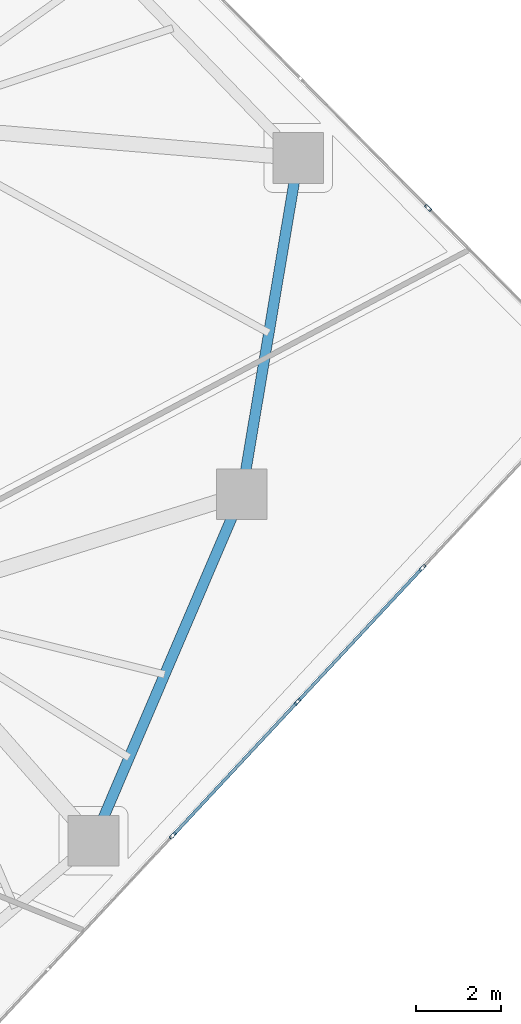
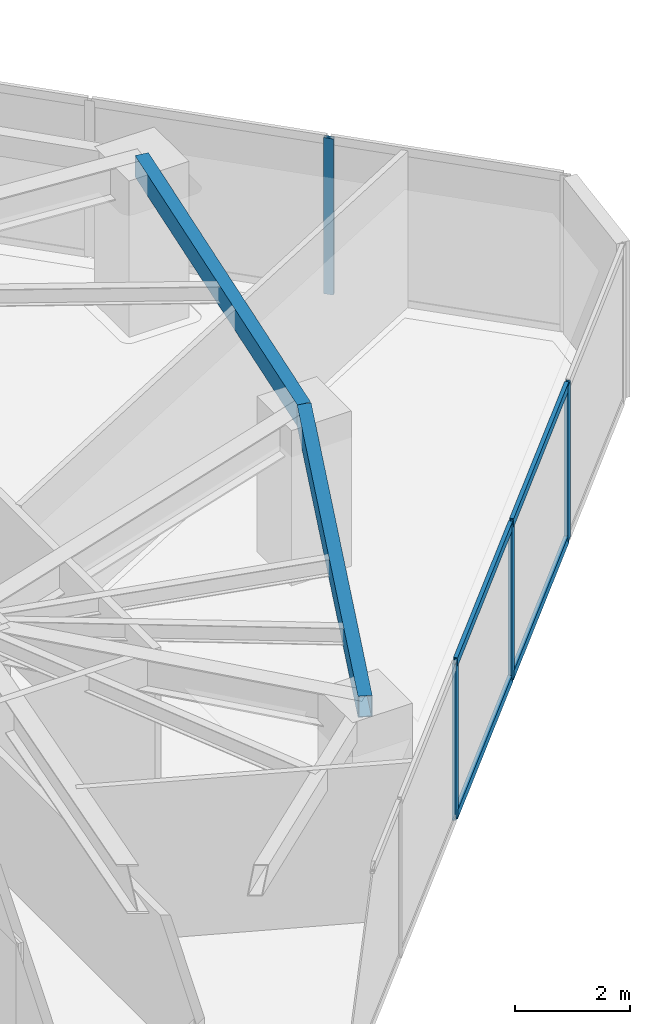
# One storey, part 13 of 23: 8 members, 2 beams, 2 elements without a shape of their own.
"""IFC4 building model written with IfcOpenShell, lengths in metres."""

from ifc_helpers import new_model, si_unit, direction, frame, origin, origin_2d, place, context, subcontext, project, spatial, hollow_rectangle, extrude, source, transform, mapped, material, layer, layer_set, material_profile, profile_set, type_object, type_shapes, element, aggregate, save


model = new_model("IFC4")

# Units and contexts
model_context = context("Model", 3, precision=1e-05, world=origin(), true_north=direction((0.0, 1.0)))
body_context = subcontext(model_context, "Body", "Model", "MODEL_VIEW")
ifc_project = project(units=[si_unit("LENGTHUNIT", "METRE"), si_unit("AREAUNIT", "SQUARE_METRE"), si_unit("VOLUMEUNIT", "CUBIC_METRE"), si_unit("PLANEANGLEUNIT", "RADIAN"), si_unit("MASSUNIT", "GRAM", prefix="KILO")], contexts=[model_context])

# Site, building, storey
site_placement = place(None, origin())
site = spatial("IfcSite", under=ifc_project, at=site_placement, CompositionType="ELEMENT")
building_placement = place(site_placement, origin())
building = spatial("IfcBuilding", under=site, at=building_placement, Name="Talar Marvaseh", CompositionType="ELEMENT")
storey_placement = place(building_placement, frame((0.0, 0.0, 100.199951171875)))
storey = spatial("IfcBuildingStorey", under=building, at=storey_placement, Name="L25", CompositionType="ELEMENT", Elevation=100.199951171875)

# Beams
ifc_material_1 = material(Name="Steel S355", Category="steel")
ifc_material_profile_1 = material_profile(ifc_material_1, hollow_rectangle(XDim=0.25, YDim=0.449951171875, WallThickness=0.01611328125, at=origin_2d()), Name="RHS450x250x16")
ifc_profile_set_1 = profile_set([ifc_material_profile_1], Name="Steel S355")
beam_type = type_object("IfcBeamType", Name="Zone 2 Perimeter Spandrel Beam RHS450x250x16", PredefinedType="SPANDREL", material=ifc_profile_set_1)
beam_1_placement = place(storey_placement, frame((43.0439453125, 36.075927734375, 3.0849609375), z_axis=(-0.165641685249, -0.986186002795, 0.0), x_axis=(0.986186002795, -0.165641685249, 0.0)))
element("IfcBeam", 1, at=beam_1_placement, inside=storey, type_object=beam_type, Name="L25 Zone 2 Perimeter Spandrel Beam RHS450x250x16", PredefinedType="SPANDREL", context=body_context, shape_type="SweptSolid", body=[
    extrude(hollow_rectangle(XDim=0.25, YDim=0.449951171875, WallThickness=0.01611328125, at=origin_2d()), origin(), (0.0, 0.0, 1.0), 8.059326171875),
])
beam_2_placement = place(storey_placement, frame((41.708984375, 28.1279296875, 3.0849609375), z_axis=(-0.393369955619, -0.919380268451, 0.0), x_axis=(0.919380268451, -0.393369955619, 0.0)))
element("IfcBeam", 2, at=beam_2_placement, inside=storey, type_object=beam_type, Name="L25 Zone 2 Perimeter Spandrel Beam RHS450x250x16", PredefinedType="SPANDREL", context=body_context, shape_type="SweptSolid", body=[
    extrude(hollow_rectangle(XDim=0.25, YDim=0.449951171875, WallThickness=0.01611328125, at=origin_2d()), origin(), (0.0, 0.0, 1.0), 8.905029296875),
])

# Curtain wall, member
ifc_material_2 = material(Name="Architectural Aluminium", Category="aluminium")
ifc_layer = layer(ifc_material_2, 0.199951171875)
ifc_layer_set = layer_set([ifc_layer], Name="Architectural Aluminium")
curtain_wall_type = type_object("IfcCurtainWallType", Name="Unitised Acoustic Library Curtain Wall Z2", PredefinedType="NOTDEFINED", material=ifc_layer_set)
curtain_wall_1_placement = place(storey_placement, origin())
curtain_wall_1 = element("IfcCurtainWall", 3, at=curtain_wall_1_placement, inside=storey, type_object=curtain_wall_type, Name="L25 Unitised Acoustic Library Curtain Wall Z2", PredefinedType="NOTDEFINED")
ifc_material_profile_2 = material_profile(ifc_material_2, hollow_rectangle(XDim=0.074951171875, YDim=0.179931640625, WallThickness=0.0048828125, at=origin_2d()), Name="RHS180x75x5")
ifc_profile_set_2 = profile_set([ifc_material_profile_2], Name="Architectural Aluminium")
member_type_1 = type_object("IfcMemberType", Name="Unitised Curtain Wall Standard Mullion RHS180x75x5", PredefinedType="MULLION", material=ifc_profile_set_2)
shared_shape_1 = source(origin(), body_context, "Body", "SweptSolid", [
    extrude(hollow_rectangle(XDim=0.074951171875, YDim=0.179931640625, WallThickness=0.0048828125, at=origin_2d()), origin(), (0.0, 0.0, 1.0), 3.31005859375),
])
type_shapes(member_type_1, [shared_shape_1])
member_1_placement = place(storey_placement, frame((46.1142578125, 34.897216796875, 0.0), z_axis=(0.0, 0.0, 1.0), x_axis=(0.711366317879, 0.702821429517, 0.0)))
member_1 = element("IfcMember", 4, at=member_1_placement, type_object=member_type_1, Name="CW-Z2 mullion 4", PredefinedType="MULLION", context=body_context, shape_type="MappedRepresentation", body=[
    mapped(shared_shape_1, transform((0.0, 0.0, 0.0), x_axis=(1.0, 0.0, 0.0), y_axis=(0.0, 1.0, 0.0), z_axis=(0.0, 0.0, 1.0), scale=1.0)),
])
aggregate(curtain_wall_1, [member_1])

# Curtain wall, members
curtain_wall_2_placement = place(storey_placement, origin())
curtain_wall_2 = element("IfcCurtainWall", 5, at=curtain_wall_2_placement, inside=storey, type_object=curtain_wall_type, Name="L25 Unitised Acoustic Library Curtain Wall Z2", PredefinedType="NOTDEFINED")
member_2_placement = place(storey_placement, frame((45.977294921875, 26.388427734375, 0.0), z_axis=(0.0, 0.0, 1.0), x_axis=(0.731249985711, -0.682109564805, 0.0)))
member_2 = element("IfcMember", 6, at=member_2_placement, type_object=member_type_1, Name="CW-Z2 mullion 2", PredefinedType="MULLION", context=body_context, shape_type="MappedRepresentation", body=[
    mapped(shared_shape_1, transform((0.0, 0.0, 0.0), x_axis=(1.0, 0.0, 0.0), y_axis=(0.0, 1.0, 0.0), z_axis=(0.0, 0.0, 1.0), scale=1.0)),
])
member_3_placement = place(storey_placement, frame((43.0283203125, 23.22705078125, 0.0), z_axis=(0.0, 0.0, 1.0), x_axis=(0.731249985711, -0.682109564805, 0.0)))
member_3 = element("IfcMember", 7, at=member_3_placement, type_object=member_type_1, Name="CW-Z2 mullion 3", PredefinedType="MULLION", context=body_context, shape_type="MappedRepresentation", body=[
    mapped(shared_shape_1, transform((0.0, 0.0, 0.0), x_axis=(1.0, 0.0, 0.0), y_axis=(0.0, 1.0, 0.0), z_axis=(0.0, 0.0, 1.0), scale=1.0)),
])
member_4_placement = place(storey_placement, frame((40.0791015625, 20.0654296875, 0.0), z_axis=(0.0, 0.0, 1.0), x_axis=(0.731249985711, -0.682109564805, 0.0)))
member_4 = element("IfcMember", 8, at=member_4_placement, type_object=member_type_1, Name="CW-Z2 mullion 4", PredefinedType="MULLION", context=body_context, shape_type="MappedRepresentation", body=[
    mapped(shared_shape_1, transform((0.0, 0.0, 0.0), x_axis=(1.0, 0.0, 0.0), y_axis=(0.0, 1.0, 0.0), z_axis=(0.0, 0.0, 1.0), scale=1.0)),
])
ifc_material_profile_3 = material_profile(ifc_material_2, hollow_rectangle(XDim=0.074951171875, YDim=0.179931640625, WallThickness=0.0048828125, at=origin_2d()), Name="RHS180x75x5")
ifc_profile_set_3 = profile_set([ifc_material_profile_3], Name="Architectural Aluminium")
member_type_2 = type_object("IfcMemberType", Name="Unitised Curtain Wall Transom RHS180x75x5", PredefinedType="USERDEFINED", material=ifc_profile_set_3)
shared_shape_2 = source(origin(), body_context, "Body", "SweptSolid", [
    extrude(hollow_rectangle(XDim=0.074951171875, YDim=0.179931640625, WallThickness=0.0048828125, at=origin_2d()), origin(), (0.0, 0.0, 1.0), 4.24853515625),
])
type_shapes(member_type_2, [shared_shape_2])
member_5_placement = place(storey_placement, frame((45.951904296875, 26.361083984375, 0.03759765625), z_axis=(-0.682113477765, -0.731246335684, 0.0), x_axis=(0.731246335684, -0.682113477765, 0.0)))
member_5 = element("IfcMember", 9, at=member_5_placement, type_object=member_type_2, Name="CW-Z2 transom 2.1", ObjectType="TRANSOM", PredefinedType="USERDEFINED", context=body_context, shape_type="MappedRepresentation", body=[
    mapped(shared_shape_2, transform((0.0, 0.0, 0.0), x_axis=(1.0, 0.0, 0.0), y_axis=(0.0, 1.0, 0.0), z_axis=(0.0, 0.0, 1.0), scale=1.0)),
])
member_6_placement = place(storey_placement, frame((45.951904296875, 26.361083984375, 3.2724609375), z_axis=(-0.682113477765, -0.731246335684, 0.0), x_axis=(0.731246335684, -0.682113477765, 0.0)))
member_6 = element("IfcMember", 10, at=member_6_placement, type_object=member_type_2, Name="CW-Z2 transom 2.2", ObjectType="TRANSOM", PredefinedType="USERDEFINED", context=body_context, shape_type="MappedRepresentation", body=[
    mapped(shared_shape_2, transform((0.0, 0.0, 0.0), x_axis=(1.0, 0.0, 0.0), y_axis=(0.0, 1.0, 0.0), z_axis=(0.0, 0.0, 1.0), scale=1.0)),
])
member_7_placement = place(storey_placement, frame((43.002685546875, 23.199462890625, 0.03759765625), z_axis=(-0.682113477765, -0.731246335684, 0.0), x_axis=(0.731246335684, -0.682113477765, 0.0)))
member_7 = element("IfcMember", 11, at=member_7_placement, type_object=member_type_2, Name="CW-Z2 transom 3.1", ObjectType="TRANSOM", PredefinedType="USERDEFINED", context=body_context, shape_type="MappedRepresentation", body=[
    mapped(shared_shape_2, transform((0.0, 0.0, 0.0), x_axis=(1.0, 0.0, 0.0), y_axis=(0.0, 1.0, 0.0), z_axis=(0.0, 0.0, 1.0), scale=1.0)),
])
member_8_placement = place(storey_placement, frame((43.002685546875, 23.199462890625, 3.2724609375), z_axis=(-0.682113477765, -0.731246335684, 0.0), x_axis=(0.731246335684, -0.682113477765, 0.0)))
member_8 = element("IfcMember", 12, at=member_8_placement, type_object=member_type_2, Name="CW-Z2 transom 3.2", ObjectType="TRANSOM", PredefinedType="USERDEFINED", context=body_context, shape_type="MappedRepresentation", body=[
    mapped(shared_shape_2, transform((0.0, 0.0, 0.0), x_axis=(1.0, 0.0, 0.0), y_axis=(0.0, 1.0, 0.0), z_axis=(0.0, 0.0, 1.0), scale=1.0)),
])
aggregate(curtain_wall_2, [member_2, member_3, member_4, member_5, member_6, member_7, member_8])

save(model, "model.ifc")
